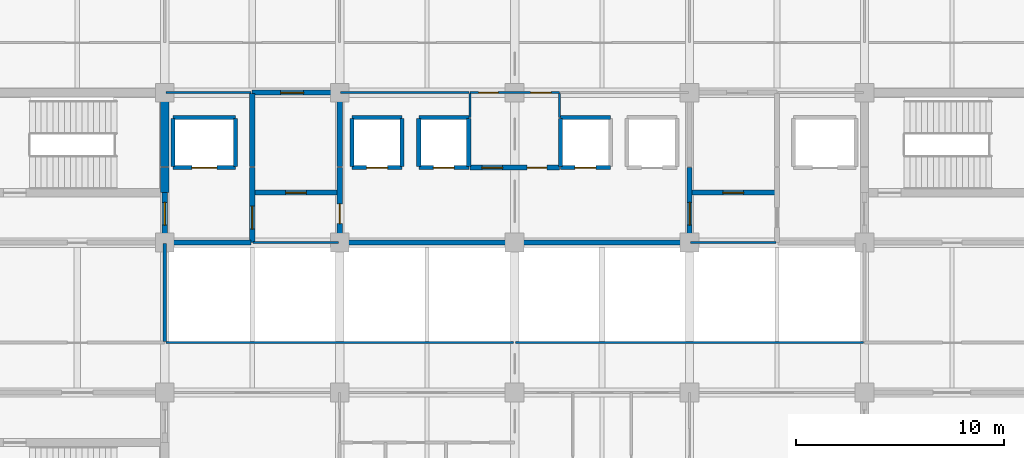
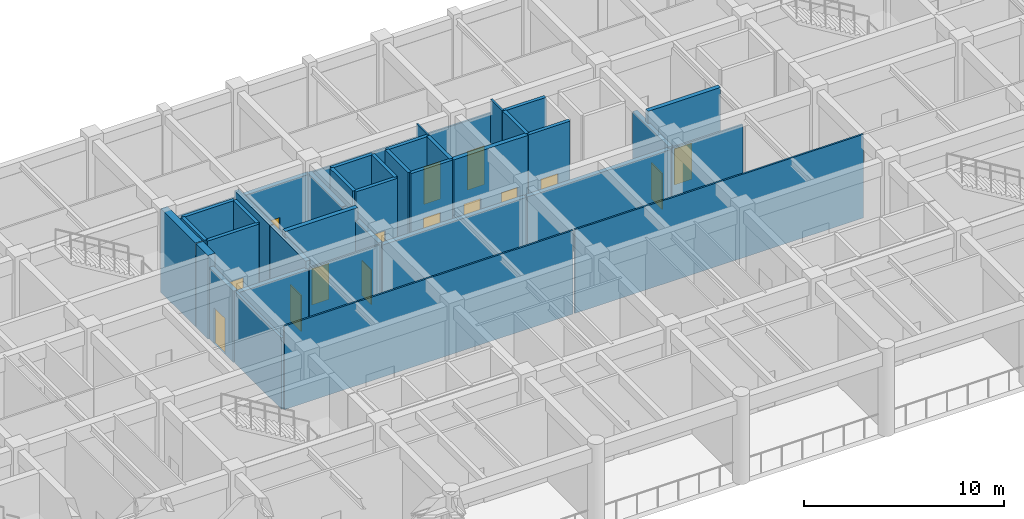
# One storey, part 50 of 68: 40 walls, 15 doors, 15 openings.
"""IFC4 building model written with IfcOpenShell, lengths in metres."""

from ifc_helpers import new_model, si_unit, direction, frame, frame_2d, origin, place, context, subcontext, project, spatial, rectangle, extrude, material, layer, layer_set, type_object, element, fill, save


model = new_model("IFC4")

# Units and contexts
model_context = context("Model", 3, precision=1e-05, world=origin(), true_north=direction((0.0, 1.0)))
body_context = subcontext(model_context, "Body", "Model", "MODEL_VIEW")
ifc_project = project(units=[si_unit("LENGTHUNIT", "METRE"), si_unit("AREAUNIT", "SQUARE_METRE"), si_unit("VOLUMEUNIT", "CUBIC_METRE"), si_unit("PLANEANGLEUNIT", "RADIAN"), si_unit("MASSUNIT", "GRAM", prefix="KILO")], contexts=[model_context])

# Site, building, storey
site_placement = place(None, origin())
site = spatial("IfcSite", under=ifc_project, at=site_placement, CompositionType="ELEMENT")
building_placement = place(site_placement, origin())
building = spatial("IfcBuilding", under=site, at=building_placement, Name="Chengyuan Square Courthouse", CompositionType="ELEMENT")
storey_placement = place(building_placement, frame((0.0, 0.0, 5.39990234375)))
storey = spatial("IfcBuildingStorey", under=building, at=storey_placement, Name="L02", CompositionType="ELEMENT", Elevation=5.39990234375)

# Walls
ifc_material_1 = material(Name="Concrete C40", Category="concrete")
ifc_layer_1 = layer(ifc_material_1, 0.25)
ifc_layer_set_1 = layer_set([ifc_layer_1], Name="Concrete C40")
wall_type_1 = type_object("IfcWallType", Name="WL-FW1", PredefinedType="STANDARD", material=ifc_layer_set_1)
wall_1_placement = place(storey_placement, frame((67.25, 100.800048828125, 0.0), z_axis=(0.0, 0.0, 1.0), x_axis=(1.0, 0.0, 0.0)))
element("IfcWall", 1, at=wall_1_placement, inside=storey, type_object=wall_type_1, Name="Interior Wall WL-L02-I1136", PredefinedType="STANDARD", context=body_context, shape_type="SweptSolid", body=[
    extrude(rectangle(XDim=4.10009765625, YDim=0.25, at=frame_2d((2.050048828125, 0.0))), origin(), (0.0, 0.0, 1.0), 4.27001953125),
])
for number, where, z_axis, x_axis, name in (
    (2, (75.64990234375, 100.800048828125, 0.0), (0.0, 0.0, 1.0), (1.0, 0.0, 0.0), "Interior Wall WL-L02-I1138"),
    (3, (84.050048828125, 100.800048828125, 0.0), (0.0, 0.0, 1.0), (1.0, 0.0, 0.0), "Interior Wall WL-L02-I1139"),
):
    element("IfcWall", number, at=place(storey_placement, frame(where, z_axis=z_axis, x_axis=x_axis)), inside=storey, type_object=wall_type_1, Name=name, PredefinedType="STANDARD", context=body_context, shape_type="SweptSolid", body=[
        extrude(rectangle(XDim=8.300048828125, YDim=0.25, at=frame_2d((4.14990234375, 0.0))), origin(), (0.0, 0.0, 1.0), 4.27001953125),
    ])

# Wall, opening, door
wall_2_placement = place(storey_placement, frame((71.39990234375, 103.199951171875, 0.0), z_axis=(0.0, 0.0, 1.0), x_axis=(1.0, 0.0, 0.0)))
wall_2 = element("IfcWall", 4, at=wall_2_placement, inside=storey, type_object=wall_type_1, Name="Interior Wall WL-L02-I1156", PredefinedType="STANDARD", context=body_context, shape_type="SweptSolid", body=[
    extrude(rectangle(XDim=4.2001953125, YDim=0.25, at=frame_2d((2.10009765625, 0.0))), origin(), (0.0, 0.0, 1.0), 5.1201171875),
])
opening_1_placement = place(wall_2_placement, frame((1.60009765625, 0.0, 0.0)))
opening_1 = element("IfcOpeningElement", 5, at=opening_1_placement, cuts=wall_2, Name="Opening DR-1040", PredefinedType="OPENING", context=body_context, shape_type="SweptSolid", body=[
    extrude(rectangle(XDim=1.0, YDim=2.199951171875, at=frame_2d((0.5, 1.10009765625))), frame((0.0, 0.136962890625, 0.0), z_axis=(0.0, -1.0, 0.0), x_axis=(1.0, 0.0, 0.0)), (0.0, 0.0, 1.0), 0.27392578125),
])
ifc_material_2 = material(Name="Steel Q235B Fire Door", Category="steel")
door_type_1 = type_object("IfcDoorType", Name="DT-11", OperationType="NOTDEFINED", PredefinedType="DOOR", material=ifc_material_2)
door_1_placement = place(opening_1_placement, origin())
door_1 = element("IfcDoor", 6, at=door_1_placement, inside=storey, type_object=door_type_1, Name="Interior Door DR-1040", OperationType="SINGLE_SWING_RIGHT", OverallHeight=2.199951171875, OverallWidth=1.0, PredefinedType="DOOR", context=body_context, shape_type="SweptSolid", body=[
    extrude(rectangle(XDim=1.0, YDim=2.199951171875, at=frame_2d((0.5, 1.10009765625))), frame((0.0, 0.02490234375, 0.0), z_axis=(0.0, -1.0, 0.0), x_axis=(1.0, 0.0, 0.0)), (0.0, 0.0, 1.0), 0.050048828125),
])
fill(opening_1, door_1)

wall_3_placement = place(storey_placement, frame((92.39990234375, 103.199951171875, 0.0), z_axis=(0.0, 0.0, 1.0), x_axis=(1.0, 0.0, 0.0)))
wall_3 = element("IfcWall", 7, at=wall_3_placement, inside=storey, type_object=wall_type_1, Name="Interior Wall WL-L02-I1157", PredefinedType="STANDARD", context=body_context, shape_type="SweptSolid", body=[
    extrude(rectangle(XDim=4.2001953125, YDim=0.25, at=frame_2d((2.10009765625, 0.0))), origin(), (0.0, 0.0, 1.0), 5.1201171875),
])
opening_2_placement = place(wall_3_placement, frame((1.60009765625, 0.0, 0.0)))
opening_2 = element("IfcOpeningElement", 8, at=opening_2_placement, cuts=wall_3, Name="Opening DR-1043", PredefinedType="OPENING", context=body_context, shape_type="SweptSolid", body=[
    extrude(rectangle(XDim=1.0, YDim=2.199951171875, at=frame_2d((0.5, 1.10009765625))), frame((0.0, 0.136962890625, 0.0), z_axis=(0.0, -1.0, 0.0), x_axis=(1.0, 0.0, 0.0)), (0.0, 0.0, 1.0), 0.27392578125),
])
door_2_placement = place(opening_2_placement, origin())
door_2 = element("IfcDoor", 9, at=door_2_placement, inside=storey, type_object=door_type_1, Name="Interior Door DR-1043", OperationType="SINGLE_SWING_LEFT", OverallHeight=2.199951171875, OverallWidth=1.0, PredefinedType="DOOR", context=body_context, shape_type="SweptSolid", body=[
    extrude(rectangle(XDim=1.0, YDim=2.199951171875, at=frame_2d((0.5, 1.10009765625))), frame((0.0, 0.02490234375, 0.0), z_axis=(0.0, -1.0, 0.0), x_axis=(1.0, 0.0, 0.0)), (0.0, 0.0, 1.0), 0.050048828125),
])
fill(opening_2, door_2)

# Wall, openings, doors
wall_4_placement = place(storey_placement, frame((81.85009765625, 104.39990234375, 0.0), z_axis=(0.0, 0.0, 1.0), x_axis=(1.0, 0.0, 0.0)))
wall_4 = element("IfcWall", 10, at=wall_4_placement, inside=storey, type_object=wall_type_1, Name="Interior Wall WL-L02-I1168", PredefinedType="STANDARD", context=body_context, shape_type="SweptSolid", body=[
    extrude(rectangle(XDim=4.2998046875, YDim=0.25, at=frame_2d((2.14990234375, 0.0))), origin(), (0.0, 0.0, 1.0), 5.1201171875),
])
opening_3_placement = place(wall_4_placement, frame((0.574951171875, 0.0, 0.0)))
opening_3 = element("IfcOpeningElement", 11, at=opening_3_placement, cuts=wall_4, Name="Opening DR-1058", PredefinedType="OPENING", context=body_context, shape_type="SweptSolid", body=[
    extrude(rectangle(XDim=1.0, YDim=2.199951171875, at=frame_2d((0.5, 1.10009765625))), frame((0.0, 0.136962890625, 0.0), z_axis=(0.0, -1.0, 0.0), x_axis=(1.0, 0.0, 0.0)), (0.0, 0.0, 1.0), 0.27392578125),
])
opening_4_placement = place(wall_4_placement, frame((2.75, 0.0, 0.0)))
opening_4 = element("IfcOpeningElement", 12, at=opening_4_placement, cuts=wall_4, Name="Opening DR-1059", PredefinedType="OPENING", context=body_context, shape_type="SweptSolid", body=[
    extrude(rectangle(XDim=0.949951171875, YDim=2.14990234375, at=frame_2d((0.47509765625, 1.074951171875))), frame((0.0, 0.136962890625, 0.0), z_axis=(0.0, -1.0, 0.0), x_axis=(1.0, 0.0, 0.0)), (0.0, 0.0, 1.0), 0.27392578125),
])
door_3_placement = place(opening_3_placement, origin())
door_3 = element("IfcDoor", 13, at=door_3_placement, inside=storey, type_object=door_type_1, Name="Interior Door DR-1058", OperationType="SINGLE_SWING_LEFT", OverallHeight=2.199951171875, OverallWidth=1.0, PredefinedType="DOOR", context=body_context, shape_type="SweptSolid", body=[
    extrude(rectangle(XDim=1.0, YDim=2.199951171875, at=frame_2d((0.5, 1.10009765625))), frame((0.0, 0.02490234375, 0.0), z_axis=(0.0, -1.0, 0.0), x_axis=(1.0, 0.0, 0.0)), (0.0, 0.0, 1.0), 0.050048828125),
])
fill(opening_3, door_3)
door_type_2 = type_object("IfcDoorType", Name="DT-12", OperationType="NOTDEFINED", PredefinedType="DOOR", material=ifc_material_2)
door_4_placement = place(opening_4_placement, origin())
door_4 = element("IfcDoor", 14, at=door_4_placement, inside=storey, type_object=door_type_2, Name="Interior Door DR-1059", OperationType="SINGLE_SWING_RIGHT", OverallHeight=2.14990234375, OverallWidth=0.949951171875, PredefinedType="DOOR", context=body_context, shape_type="SweptSolid", body=[
    extrude(rectangle(XDim=0.949951171875, YDim=2.14990234375, at=frame_2d((0.47509765625, 1.074951171875))), frame((0.0, 0.02490234375, 0.0), z_axis=(0.0, -1.0, 0.0), x_axis=(1.0, 0.0, 0.0)), (0.0, 0.0, 1.0), 0.050048828125),
])
fill(opening_4, door_4)

# Wall, opening, door
wall_5_placement = place(storey_placement, frame((71.39990234375, 108.0, 0.0), z_axis=(0.0, 0.0, 1.0), x_axis=(1.0, 0.0, 0.0)))
wall_5 = element("IfcWall", 15, at=wall_5_placement, inside=storey, type_object=wall_type_1, Name="Interior Wall WL-L02-I1189", PredefinedType="STANDARD", context=body_context, shape_type="SweptSolid", body=[
    extrude(rectangle(XDim=4.2001953125, YDim=0.25, at=frame_2d((2.10009765625, 0.0))), origin(), (0.0, 0.0, 1.0), 4.27001953125),
])
opening_5_placement = place(wall_5_placement, frame((1.364990234375, 0.0, 0.0)))
opening_5 = element("IfcOpeningElement", 16, at=opening_5_placement, cuts=wall_5, Name="Opening DR-1042", PredefinedType="OPENING", context=body_context, shape_type="SweptSolid", body=[
    extrude(rectangle(XDim=1.10009765625, YDim=2.199951171875, at=frame_2d((0.550048828125, 1.10009765625))), frame((0.0, 0.136962890625, 0.0), z_axis=(0.0, -1.0, 0.0), x_axis=(1.0, 0.0, 0.0)), (0.0, 0.0, 1.0), 0.27392578125),
])
door_type_3 = type_object("IfcDoorType", Name="DT-10", OperationType="NOTDEFINED", PredefinedType="DOOR", material=ifc_material_2)
door_5_placement = place(opening_5_placement, origin())
door_5 = element("IfcDoor", 17, at=door_5_placement, inside=storey, type_object=door_type_3, Name="Interior Door DR-1042", OperationType="SINGLE_SWING_RIGHT", OverallHeight=2.199951171875, OverallWidth=1.10009765625, PredefinedType="DOOR", context=body_context, shape_type="SweptSolid", body=[
    extrude(rectangle(XDim=1.10009765625, YDim=2.199951171875, at=frame_2d((0.550048828125, 1.10009765625))), frame((0.0, 0.02490234375, 0.0), z_axis=(0.0, -1.0, 0.0), x_axis=(1.0, 0.0, 0.0)), (0.0, 0.0, 1.0), 0.050048828125),
])
fill(opening_5, door_5)

wall_6_placement = place(storey_placement, frame((67.199951171875, 100.800048828125, 0.0), z_axis=(0.0, 0.0, 1.0), x_axis=(0.0, 1.0, 0.0)))
wall_6 = element("IfcWall", 18, at=wall_6_placement, inside=storey, type_object=wall_type_1, Name="Interior Wall WL-L02-I1267", PredefinedType="STANDARD", context=body_context, shape_type="SweptSolid", body=[
    extrude(rectangle(XDim=2.39990234375, YDim=0.25, at=frame_2d((1.199951171875, 0.0))), origin(), (0.0, 0.0, 1.0), 4.3701171875),
])
opening_6_placement = place(wall_6_placement, frame((0.8349609375, 0.0, 0.0)))
opening_6 = element("IfcOpeningElement", 19, at=opening_6_placement, cuts=wall_6, Name="Opening DR-1009", PredefinedType="OPENING", context=body_context, shape_type="SweptSolid", body=[
    extrude(rectangle(XDim=1.10009765625, YDim=2.199951171875, at=frame_2d((0.550048828125, 1.10009765625))), frame((0.0, 0.136962890625, 0.0), z_axis=(0.0, -1.0, 0.0), x_axis=(1.0, 0.0, 0.0)), (0.0, 0.0, 1.0), 0.27392578125),
])
door_6_placement = place(opening_6_placement, origin())
door_6 = element("IfcDoor", 20, at=door_6_placement, inside=storey, type_object=door_type_3, Name="Interior Door DR-1009", OperationType="SINGLE_SWING_LEFT", OverallHeight=2.199951171875, OverallWidth=1.10009765625, PredefinedType="DOOR", context=body_context, shape_type="SweptSolid", body=[
    extrude(rectangle(XDim=1.10009765625, YDim=2.199951171875, at=frame_2d((0.550048828125, 1.10009765625))), frame((0.0, 0.02490234375, 0.0), z_axis=(0.0, -1.0, 0.0), x_axis=(1.0, 0.0, 0.0)), (0.0, 0.0, 1.0), 0.050048828125),
])
fill(opening_6, door_6)

wall_7_placement = place(storey_placement, frame((71.39990234375, 100.800048828125, 0.0), z_axis=(0.0, 0.0, 1.0), x_axis=(0.0, 1.0, 0.0)))
wall_7 = element("IfcWall", 21, at=wall_7_placement, inside=storey, type_object=wall_type_1, Name="Interior Wall WL-L02-I1275", PredefinedType="STANDARD", context=body_context, shape_type="SweptSolid", body=[
    extrude(rectangle(XDim=3.599853515625, YDim=0.25, at=frame_2d((1.7998046875, 0.0))), origin(), (0.0, 0.0, 1.0), 4.72021484375),
])
opening_7_placement = place(wall_7_placement, frame((0.64990234375, 0.0, 0.0)))
opening_7 = element("IfcOpeningElement", 22, at=opening_7_placement, cuts=wall_7, Name="Opening DR-1039", PredefinedType="OPENING", context=body_context, shape_type="SweptSolid", body=[
    extrude(rectangle(XDim=1.10009765625, YDim=2.199951171875, at=frame_2d((0.550048828125, 1.10009765625))), frame((0.0, 0.136962890625, 0.0), z_axis=(0.0, -1.0, 0.0), x_axis=(1.0, 0.0, 0.0)), (0.0, 0.0, 1.0), 0.27392578125),
])
door_7_placement = place(opening_7_placement, origin())
door_7 = element("IfcDoor", 23, at=door_7_placement, inside=storey, type_object=door_type_3, Name="Interior Door DR-1039", OperationType="SINGLE_SWING_LEFT", OverallHeight=2.199951171875, OverallWidth=1.10009765625, PredefinedType="DOOR", context=body_context, shape_type="SweptSolid", body=[
    extrude(rectangle(XDim=1.10009765625, YDim=2.199951171875, at=frame_2d((0.550048828125, 1.10009765625))), frame((0.0, 0.02490234375, 0.0), z_axis=(0.0, -1.0, 0.0), x_axis=(1.0, 0.0, 0.0)), (0.0, 0.0, 1.0), 0.050048828125),
])
fill(opening_7, door_7)

# Wall
wall_8_placement = place(storey_placement, frame((71.39990234375, 104.449951171875, 0.0), z_axis=(0.0, 0.0, 1.0), x_axis=(0.0, 1.0, 0.0)))
element("IfcWall", 24, at=wall_8_placement, inside=storey, type_object=wall_type_1, Name="Interior Wall WL-L02-I1276", PredefinedType="STANDARD", context=body_context, shape_type="SweptSolid", body=[
    extrude(rectangle(XDim=3.5, YDim=0.25, at=frame_2d((1.75, 0.0))), origin(), (0.0, 0.0, 1.0), 4.72021484375),
])

# Wall, opening, door
wall_9_placement = place(storey_placement, frame((75.60009765625, 100.800048828125, 0.0), z_axis=(0.0, 0.0, 1.0), x_axis=(0.0, 1.0, 0.0)))
wall_9 = element("IfcWall", 25, at=wall_9_placement, inside=storey, type_object=wall_type_1, Name="Interior Wall WL-L02-I1283", PredefinedType="STANDARD", context=body_context, shape_type="SweptSolid", body=[
    extrude(rectangle(XDim=3.599853515625, YDim=0.25, at=frame_2d((1.7998046875, 0.0))), origin(), (0.0, 0.0, 1.0), 4.3701171875),
])
opening_8_placement = place(wall_9_placement, frame((0.909912109375, 0.0, 0.0)))
opening_8 = element("IfcOpeningElement", 26, at=opening_8_placement, cuts=wall_9, Name="Opening DR-1041", PredefinedType="OPENING", context=body_context, shape_type="SweptSolid", body=[
    extrude(rectangle(XDim=0.949951171875, YDim=2.14990234375, at=frame_2d((0.47509765625, 1.074951171875))), frame((0.0, 0.136962890625, 0.0), z_axis=(0.0, -1.0, 0.0), x_axis=(1.0, 0.0, 0.0)), (0.0, 0.0, 1.0), 0.27392578125),
])
door_8_placement = place(opening_8_placement, origin())
door_8 = element("IfcDoor", 27, at=door_8_placement, inside=storey, type_object=door_type_2, Name="Interior Door DR-1041", OperationType="SINGLE_SWING_LEFT", OverallHeight=2.14990234375, OverallWidth=0.949951171875, PredefinedType="DOOR", context=body_context, shape_type="SweptSolid", body=[
    extrude(rectangle(XDim=0.949951171875, YDim=2.14990234375, at=frame_2d((0.47509765625, 1.074951171875))), frame((0.0, 0.02490234375, 0.0), z_axis=(0.0, -1.0, 0.0), x_axis=(1.0, 0.0, 0.0)), (0.0, 0.0, 1.0), 0.050048828125),
])
fill(opening_8, door_8)

# Wall
wall_10_placement = place(storey_placement, frame((75.60009765625, 104.449951171875, 0.0), z_axis=(0.0, 0.0, 1.0), x_axis=(0.0, 1.0, 0.0)))
element("IfcWall", 28, at=wall_10_placement, inside=storey, type_object=wall_type_1, Name="Interior Wall WL-L02-I1284", PredefinedType="STANDARD", context=body_context, shape_type="SweptSolid", body=[
    extrude(rectangle(XDim=3.5, YDim=0.25, at=frame_2d((1.75, 0.0))), origin(), (0.0, 0.0, 1.0), 4.3701171875),
])

# Wall, opening, door
wall_11_placement = place(storey_placement, frame((92.39990234375, 100.800048828125, 0.0), z_axis=(0.0, 0.0, 1.0), x_axis=(0.0, 1.0, 0.0)))
wall_11 = element("IfcWall", 29, at=wall_11_placement, inside=storey, type_object=wall_type_1, Name="Interior Wall WL-L02-I1305", PredefinedType="STANDARD", context=body_context, shape_type="SweptSolid", body=[
    extrude(rectangle(XDim=3.599853515625, YDim=0.25, at=frame_2d((1.7998046875, 0.0))), origin(), (0.0, 0.0, 1.0), 4.3701171875),
])
opening_9_placement = place(wall_11_placement, frame((0.8349609375, 0.0, 0.0)))
opening_9 = element("IfcOpeningElement", 30, at=opening_9_placement, cuts=wall_11, Name="Opening DR-1045", PredefinedType="OPENING", context=body_context, shape_type="SweptSolid", body=[
    extrude(rectangle(XDim=1.10009765625, YDim=2.199951171875, at=frame_2d((0.550048828125, 1.10009765625))), frame((0.0, 0.136962890625, 0.0), z_axis=(0.0, -1.0, 0.0), x_axis=(1.0, 0.0, 0.0)), (0.0, 0.0, 1.0), 0.27392578125),
])
door_9_placement = place(opening_9_placement, origin())
door_9 = element("IfcDoor", 31, at=door_9_placement, inside=storey, type_object=door_type_3, Name="Interior Door DR-1045", OperationType="SINGLE_SWING_LEFT", OverallHeight=2.199951171875, OverallWidth=1.10009765625, PredefinedType="DOOR", context=body_context, shape_type="SweptSolid", body=[
    extrude(rectangle(XDim=1.10009765625, YDim=2.199951171875, at=frame_2d((0.550048828125, 1.10009765625))), frame((0.0, 0.02490234375, 0.0), z_axis=(0.0, -1.0, 0.0), x_axis=(1.0, 0.0, 0.0)), (0.0, 0.0, 1.0), 0.050048828125),
])
fill(opening_9, door_9)

# Walls
ifc_material_3 = material(Name="Deliberation Room Sound-Insulated Partition")
ifc_layer_2 = layer(ifc_material_3, 0.14990234375)
ifc_layer_set_2 = layer_set([ifc_layer_2], Name="Deliberation Room Sound-Insulated Partition")
wall_type_2 = type_object("IfcWallType", Name="WL-PT3", PredefinedType="STANDARD", material=ifc_layer_set_2)
wall_12_placement = place(storey_placement, frame((67.199951171875, 96.050048828125, 0.0), z_axis=(0.0, 0.0, 1.0), x_axis=(0.0, 1.0, 0.0)))
element("IfcWall", 32, at=wall_12_placement, inside=storey, type_object=wall_type_2, Name="Interior Wall WL-L02-I1266", PredefinedType="STANDARD", context=body_context, shape_type="SweptSolid", body=[
    extrude(rectangle(XDim=4.699951171875, YDim=0.14990234375, at=frame_2d((2.35009765625, 0.0))), origin(), (0.0, 0.0, 1.0), 4.3701171875),
])
ifc_material_4 = material(Name="Gypsum Plasterboard Acoustic Stud Partition")
ifc_layer_3 = layer(ifc_material_4, 0.10009765625)
ifc_layer_set_3 = layer_set([ifc_layer_3], Name="Gypsum Plasterboard Acoustic Stud Partition")
wall_type_3 = type_object("IfcWallType", Name="WL-PT6", PredefinedType="STANDARD", material=ifc_layer_set_3)
for number, where, z_axis, x_axis, name in (
    (33, (67.25, 96.0, 0.0), (0.0, 0.0, 1.0), (1.0, 0.0, 0.0), "Interior Wall WL-L02-I1117"),
    (34, (84.050048828125, 96.0, 0.0), (0.0, 0.0, 1.0), (1.0, 0.0, 0.0), "Interior Wall WL-L02-I1118"),
):
    element("IfcWall", number, at=place(storey_placement, frame(where, z_axis=z_axis, x_axis=x_axis)), inside=storey, type_object=wall_type_3, Name=name, PredefinedType="STANDARD", context=body_context, shape_type="SweptSolid", body=[
        extrude(rectangle(XDim=16.699951171875, YDim=0.10009765625, at=frame_2d((8.35009765625, 0.0))), origin(), (0.0, 0.0, 1.0), 5.1201171875),
    ])
for number, where, z_axis, x_axis, name in (
    (35, (71.449951171875, 100.800048828125, 0.0), (0.0, 0.0, 1.0), (1.0, 0.0, 0.0), "Interior Wall WL-L02-I1137"),
    (36, (92.449951171875, 100.800048828125, 0.0), (0.0, 0.0, 1.0), (1.0, 0.0, 0.0), "Interior Wall WL-L02-I1140"),
    (37, (67.25, 108.0, 0.0), (0.0, 0.0, 1.0), (1.0, 0.0, 0.0), "Interior Wall WL-L02-I1188"),
):
    element("IfcWall", number, at=place(storey_placement, frame(where, z_axis=z_axis, x_axis=x_axis)), inside=storey, type_object=wall_type_3, Name=name, PredefinedType="STANDARD", context=body_context, shape_type="SweptSolid", body=[
        extrude(rectangle(XDim=4.10009765625, YDim=0.10009765625, at=frame_2d((2.050048828125, 0.0))), origin(), (0.0, 0.0, 1.0), 4.27001953125),
    ])
wall_13_placement = place(storey_placement, frame((75.64990234375, 108.0, 0.0), z_axis=(0.0, 0.0, 1.0), x_axis=(1.0, 0.0, 0.0)))
element("IfcWall", 38, at=wall_13_placement, inside=storey, type_object=wall_type_3, Name="Interior Wall WL-L02-I1190", PredefinedType="STANDARD", context=body_context, shape_type="SweptSolid", body=[
    extrude(rectangle(XDim=6.150146484375, YDim=0.10009765625, at=frame_2d((3.0751953125, 0.0))), origin(), (0.0, 0.0, 1.0), 4.27001953125),
])

# Wall, openings, doors
wall_14_placement = place(storey_placement, frame((81.85009765625, 108.0, 0.0), z_axis=(0.0, 0.0, 1.0), x_axis=(1.0, 0.0, 0.0)))
wall_14 = element("IfcWall", 39, at=wall_14_placement, inside=storey, type_object=wall_type_3, Name="Interior Wall WL-L02-I1191", PredefinedType="STANDARD", context=body_context, shape_type="SweptSolid", body=[
    extrude(rectangle(XDim=4.2998046875, YDim=0.10009765625, at=frame_2d((2.14990234375, 0.0))), origin(), (0.0, 0.0, 1.0), 4.27001953125),
])
opening_10_placement = place(wall_14_placement, frame((0.419921875, 0.0, 0.0)))
opening_10 = element("IfcOpeningElement", 40, at=opening_10_placement, cuts=wall_14, Name="Opening DR-1217", PredefinedType="OPENING", context=body_context, shape_type="SweptSolid", body=[
    extrude(rectangle(XDim=0.93994140625, YDim=2.300048828125, at=frame_2d((0.469970703125, 1.14990234375))), frame((0.0, 0.06201171875, 0.0), z_axis=(0.0, -1.0, 0.0), x_axis=(1.0, 0.0, 0.0)), (0.0, 0.0, 1.0), 0.1240234375),
])
opening_11_placement = place(wall_14_placement, frame((2.919921875, 0.0, 0.0)))
opening_11 = element("IfcOpeningElement", 41, at=opening_11_placement, cuts=wall_14, Name="Opening DR-1218", PredefinedType="OPENING", context=body_context, shape_type="SweptSolid", body=[
    extrude(rectangle(XDim=0.97998046875, YDim=2.35009765625, at=frame_2d((0.489990234375, 1.175048828125))), frame((0.0, 0.06201171875, 0.0), z_axis=(0.0, -1.0, 0.0), x_axis=(1.0, 0.0, 0.0)), (0.0, 0.0, 1.0), 0.1240234375),
])
ifc_material_5 = material(Name="Acoustic Solid-Core Timber Door", Category="wood")
door_type_4 = type_object("IfcDoorType", Name="DT-39", OperationType="NOTDEFINED", PredefinedType="DOOR", material=ifc_material_5)
door_10_placement = place(opening_10_placement, origin())
door_10 = element("IfcDoor", 42, at=door_10_placement, inside=storey, type_object=door_type_4, Name="Interior Door DR-1217", OperationType="SINGLE_SWING_RIGHT", OverallHeight=2.300048828125, OverallWidth=0.93994140625, PredefinedType="DOOR", context=body_context, shape_type="SweptSolid", body=[
    extrude(rectangle(XDim=0.93994140625, YDim=2.300048828125, at=frame_2d((0.469970703125, 1.14990234375))), frame((0.0, 0.02490234375, 0.0), z_axis=(0.0, -1.0, 0.0), x_axis=(1.0, 0.0, 0.0)), (0.0, 0.0, 1.0), 0.050048828125),
])
fill(opening_10, door_10)
door_type_5 = type_object("IfcDoorType", Name="DT-40", OperationType="NOTDEFINED", PredefinedType="DOOR", material=ifc_material_5)
door_11_placement = place(opening_11_placement, origin())
door_11 = element("IfcDoor", 43, at=door_11_placement, inside=storey, type_object=door_type_5, Name="Interior Door DR-1218", OperationType="SINGLE_SWING_LEFT", OverallHeight=2.35009765625, OverallWidth=0.97998046875, PredefinedType="DOOR", context=body_context, shape_type="SweptSolid", body=[
    extrude(rectangle(XDim=0.97998046875, YDim=2.35009765625, at=frame_2d((0.489990234375, 1.175048828125))), frame((0.0, 0.02490234375, 0.0), z_axis=(0.0, -1.0, 0.0), x_axis=(1.0, 0.0, 0.0)), (0.0, 0.0, 1.0), 0.050048828125),
])
fill(opening_11, door_11)

# Walls
for number, where, z_axis, x_axis, name in (
    (44, (81.85009765625, 106.800048828125, 0.0), (0.0, 0.0, 1.0), (0.0, 1.0, 0.0), "Interior Wall WL-L02-I1292"),
    (45, (86.14990234375, 106.800048828125, 0.0), (0.0, 0.0, 1.0), (0.0, 1.0, 0.0), "Interior Wall WL-L02-I1295"),
):
    element("IfcWall", number, at=place(storey_placement, frame(where, z_axis=z_axis, x_axis=x_axis)), inside=storey, type_object=wall_type_3, Name=name, PredefinedType="STANDARD", context=body_context, shape_type="SweptSolid", body=[
        extrude(rectangle(XDim=1.14990234375, YDim=0.10009765625, at=frame_2d((0.574951171875, 0.0))), origin(), (0.0, 0.0, 1.0), 5.1201171875),
    ])

# Wall, opening, door
ifc_material_6 = material(Name="Reinforced Masonry Shaft Enclosure", Category="masonry")
ifc_layer_4 = layer(ifc_material_6, 0.199951171875)
ifc_layer_set_4 = layer_set([ifc_layer_4], Name="Reinforced Masonry Shaft Enclosure")
wall_type_4 = type_object("IfcWallType", Name="WL-SH1", PredefinedType="STANDARD", material=ifc_layer_set_4)
wall_15_placement = place(storey_placement, frame((67.60009765625, 104.39990234375, 0.0), z_axis=(0.0, 0.0, 1.0), x_axis=(1.0, 0.0, 0.0)))
wall_15 = element("IfcWall", 46, at=wall_15_placement, inside=storey, type_object=wall_type_4, Name="Interior Wall WL-L02-I1165", PredefinedType="STANDARD", context=body_context, shape_type="SweptSolid", body=[
    extrude(rectangle(XDim=3.0, YDim=0.199951171875, at=frame_2d((1.5, 0.0))), origin(), (0.0, 0.0, 1.0), 5.1201171875),
])
opening_12_placement = place(wall_15_placement, frame((0.89990234375, 0.0, 0.0)))
opening_12 = element("IfcOpeningElement", 47, at=opening_12_placement, cuts=wall_15, Name="Opening LD-037", PredefinedType="OPENING", context=body_context, shape_type="SweptSolid", body=[
    extrude(rectangle(XDim=1.199951171875, YDim=2.14990234375, at=frame_2d((0.60009765625, 1.074951171875))), frame((0.0, 0.112060546875, 0.0), z_axis=(0.0, -1.0, 0.0), x_axis=(1.0, 0.0, 0.0)), (0.0, 0.0, 1.0), 0.223876953125),
])
ifc_material_7 = material(Name="Stainless Steel S30408 Lift Landing Door", Category="steel")
door_type_6 = type_object("IfcDoorType", Name="DT-05", OperationType="DOUBLE_DOOR_SLIDING", PredefinedType="DOOR", material=ifc_material_7)
door_12_placement = place(opening_12_placement, origin())
door_12 = element("IfcDoor", 48, at=door_12_placement, inside=storey, type_object=door_type_6, Name="Lift Landing Door LF-F1 L02", OperationType="DOUBLE_DOOR_SLIDING", OverallHeight=2.14990234375, OverallWidth=1.199951171875, PredefinedType="DOOR", context=body_context, shape_type="SweptSolid", body=[
    extrude(rectangle(XDim=1.199951171875, YDim=2.14990234375, at=frame_2d((0.60009765625, 1.074951171875))), frame((0.0, 0.02490234375, 0.0), z_axis=(0.0, -1.0, 0.0), x_axis=(1.0, 0.0, 0.0)), (0.0, 0.0, 1.0), 0.050048828125),
])
fill(opening_12, door_12)

wall_16_placement = place(storey_placement, frame((76.199951171875, 104.39990234375, 0.0), z_axis=(0.0, 0.0, 1.0), x_axis=(1.0, 0.0, 0.0)))
wall_16 = element("IfcWall", 49, at=wall_16_placement, inside=storey, type_object=wall_type_4, Name="Interior Wall WL-L02-I1166", PredefinedType="STANDARD", context=body_context, shape_type="SweptSolid", body=[
    extrude(rectangle(XDim=2.400146484375, YDim=0.199951171875, at=frame_2d((1.2001953125, 0.0))), origin(), (0.0, 0.0, 1.0), 5.1201171875),
])
opening_13_placement = place(wall_16_placement, frame((0.699951171875, 0.0, 0.0)))
opening_13 = element("IfcOpeningElement", 50, at=opening_13_placement, cuts=wall_16, Name="Opening LD-041", PredefinedType="OPENING", context=body_context, shape_type="SweptSolid", body=[
    extrude(rectangle(XDim=1.0, YDim=2.14990234375, at=frame_2d((0.5, 1.074951171875))), frame((0.0, 0.112060546875, 0.0), z_axis=(0.0, -1.0, 0.0), x_axis=(1.0, 0.0, 0.0)), (0.0, 0.0, 1.0), 0.223876953125),
])
door_type_7 = type_object("IfcDoorType", Name="DT-07", OperationType="DOUBLE_DOOR_SLIDING", PredefinedType="DOOR", material=ifc_material_7)
door_13_placement = place(opening_13_placement, origin())
door_13 = element("IfcDoor", 51, at=door_13_placement, inside=storey, type_object=door_type_7, Name="Lift Landing Door LF-J1 L02", OperationType="DOUBLE_DOOR_SLIDING", OverallHeight=2.14990234375, OverallWidth=1.0, PredefinedType="DOOR", context=body_context, shape_type="SweptSolid", body=[
    extrude(rectangle(XDim=1.0, YDim=2.14990234375, at=frame_2d((0.5, 1.074951171875))), frame((0.0, 0.02490234375, 0.0), z_axis=(0.0, -1.0, 0.0), x_axis=(1.0, 0.0, 0.0)), (0.0, 0.0, 1.0), 0.050048828125),
])
fill(opening_13, door_13)

wall_17_placement = place(storey_placement, frame((79.39990234375, 104.39990234375, 0.0), z_axis=(0.0, 0.0, 1.0), x_axis=(1.0, 0.0, 0.0)))
wall_17 = element("IfcWall", 52, at=wall_17_placement, inside=storey, type_object=wall_type_4, Name="Interior Wall WL-L02-I1167", PredefinedType="STANDARD", context=body_context, shape_type="SweptSolid", body=[
    extrude(rectangle(XDim=2.400146484375, YDim=0.199951171875, at=frame_2d((1.2001953125, 0.0))), origin(), (0.0, 0.0, 1.0), 5.1201171875),
])
opening_14_placement = place(wall_17_placement, frame((0.699951171875, 0.0, 0.0)))
opening_14 = element("IfcOpeningElement", 53, at=opening_14_placement, cuts=wall_17, Name="Opening LD-042", PredefinedType="OPENING", context=body_context, shape_type="SweptSolid", body=[
    extrude(rectangle(XDim=1.0, YDim=2.14990234375, at=frame_2d((0.5, 1.074951171875))), frame((0.0, 0.112060546875, 0.0), z_axis=(0.0, -1.0, 0.0), x_axis=(1.0, 0.0, 0.0)), (0.0, 0.0, 1.0), 0.223876953125),
])
door_14_placement = place(opening_14_placement, origin())
door_14 = element("IfcDoor", 54, at=door_14_placement, inside=storey, type_object=door_type_7, Name="Lift Landing Door LF-J2 L02", OperationType="DOUBLE_DOOR_SLIDING", OverallHeight=2.14990234375, OverallWidth=1.0, PredefinedType="DOOR", context=body_context, shape_type="SweptSolid", body=[
    extrude(rectangle(XDim=1.0, YDim=2.14990234375, at=frame_2d((0.5, 1.074951171875))), frame((0.0, 0.02490234375, 0.0), z_axis=(0.0, -1.0, 0.0), x_axis=(1.0, 0.0, 0.0)), (0.0, 0.0, 1.0), 0.050048828125),
])
fill(opening_14, door_14)

wall_18_placement = place(storey_placement, frame((86.199951171875, 104.39990234375, 0.0), z_axis=(0.0, 0.0, 1.0), x_axis=(1.0, 0.0, 0.0)))
wall_18 = element("IfcWall", 55, at=wall_18_placement, inside=storey, type_object=wall_type_4, Name="Interior Wall WL-L02-I1169", PredefinedType="STANDARD", context=body_context, shape_type="SweptSolid", body=[
    extrude(rectangle(XDim=2.400146484375, YDim=0.199951171875, at=frame_2d((1.2001953125, 0.0))), origin(), (0.0, 0.0, 1.0), 5.1201171875),
])
opening_15_placement = place(wall_18_placement, frame((0.699951171875, 0.0, 0.0)))
opening_15 = element("IfcOpeningElement", 56, at=opening_15_placement, cuts=wall_18, Name="Opening LD-043", PredefinedType="OPENING", context=body_context, shape_type="SweptSolid", body=[
    extrude(rectangle(XDim=1.0, YDim=2.14990234375, at=frame_2d((0.5, 1.074951171875))), frame((0.0, 0.112060546875, 0.0), z_axis=(0.0, -1.0, 0.0), x_axis=(1.0, 0.0, 0.0)), (0.0, 0.0, 1.0), 0.223876953125),
])
door_15_placement = place(opening_15_placement, origin())
door_15 = element("IfcDoor", 57, at=door_15_placement, inside=storey, type_object=door_type_7, Name="Lift Landing Door LF-J3 L02", OperationType="DOUBLE_DOOR_SLIDING", OverallHeight=2.14990234375, OverallWidth=1.0, PredefinedType="DOOR", context=body_context, shape_type="SweptSolid", body=[
    extrude(rectangle(XDim=1.0, YDim=2.14990234375, at=frame_2d((0.5, 1.074951171875))), frame((0.0, 0.02490234375, 0.0), z_axis=(0.0, -1.0, 0.0), x_axis=(1.0, 0.0, 0.0)), (0.0, 0.0, 1.0), 0.050048828125),
])
fill(opening_15, door_15)

# Walls
wall_19_placement = place(storey_placement, frame((67.60009765625, 106.800048828125, 0.0), z_axis=(0.0, 0.0, 1.0), x_axis=(1.0, 0.0, 0.0)))
element("IfcWall", 58, at=wall_19_placement, inside=storey, type_object=wall_type_4, Name="Interior Wall WL-L02-I1177", PredefinedType="STANDARD", context=body_context, shape_type="SweptSolid", body=[
    extrude(rectangle(XDim=3.0, YDim=0.199951171875, at=frame_2d((1.5, 0.0))), origin(), (0.0, 0.0, 1.0), 5.1201171875),
])
for number, where, z_axis, x_axis, name in (
    (59, (76.199951171875, 106.800048828125, 0.0), (0.0, 0.0, 1.0), (1.0, 0.0, 0.0), "Interior Wall WL-L02-I1178"),
    (60, (79.39990234375, 106.800048828125, 0.0), (0.0, 0.0, 1.0), (1.0, 0.0, 0.0), "Interior Wall WL-L02-I1179"),
    (61, (86.199951171875, 106.800048828125, 0.0), (0.0, 0.0, 1.0), (1.0, 0.0, 0.0), "Interior Wall WL-L02-I1180"),
):
    element("IfcWall", number, at=place(storey_placement, frame(where, z_axis=z_axis, x_axis=x_axis)), inside=storey, type_object=wall_type_4, Name=name, PredefinedType="STANDARD", context=body_context, shape_type="SweptSolid", body=[
        extrude(rectangle(XDim=2.400146484375, YDim=0.199951171875, at=frame_2d((1.2001953125, 0.0))), origin(), (0.0, 0.0, 1.0), 5.1201171875),
    ])
for number, where, z_axis, x_axis, name in (
    (62, (67.60009765625, 104.449951171875, 0.0), (0.0, 0.0, 1.0), (0.0, 1.0, 0.0), "Interior Wall WL-L02-I1272"),
    (63, (70.60009765625, 104.449951171875, 0.0), (0.0, 0.0, 1.0), (0.0, 1.0, 0.0), "Interior Wall WL-L02-I1274"),
    (64, (76.199951171875, 104.449951171875, 0.0), (0.0, 0.0, 1.0), (0.0, 1.0, 0.0), "Interior Wall WL-L02-I1286"),
    (65, (78.60009765625, 104.449951171875, 0.0), (0.0, 0.0, 1.0), (0.0, 1.0, 0.0), "Interior Wall WL-L02-I1288"),
    (66, (79.39990234375, 104.449951171875, 0.0), (0.0, 0.0, 1.0), (0.0, 1.0, 0.0), "Interior Wall WL-L02-I1289"),
    (67, (81.800048828125, 104.449951171875, 0.0), (0.0, 0.0, 1.0), (0.0, 1.0, 0.0), "Interior Wall WL-L02-I1291"),
    (68, (86.199951171875, 104.449951171875, 0.0), (0.0, 0.0, 1.0), (0.0, 1.0, 0.0), "Interior Wall WL-L02-I1296"),
):
    element("IfcWall", number, at=place(storey_placement, frame(where, z_axis=z_axis, x_axis=x_axis)), inside=storey, type_object=wall_type_4, Name=name, PredefinedType="STANDARD", context=body_context, shape_type="SweptSolid", body=[
        extrude(rectangle(XDim=2.300048828125, YDim=0.199951171875, at=frame_2d((1.14990234375, 0.0))), origin(), (0.0, 0.0, 1.0), 5.1201171875),
    ])
ifc_material_8 = material(Name="Concrete C50", Category="concrete")
ifc_layer_5 = layer(ifc_material_8, 0.39990234375)
ifc_layer_set_5 = layer_set([ifc_layer_5], Name="Concrete C50")
wall_type_5 = type_object("IfcWallType", Name="WL-SW1", PredefinedType="SHEAR", material=ifc_layer_set_5)
wall_20_placement = place(storey_placement, frame((67.199951171875, 103.199951171875, 0.0), z_axis=(0.0, 0.0, 1.0), x_axis=(0.0, 1.0, 0.0)))
element("IfcWall", 69, at=wall_20_placement, inside=storey, type_object=wall_type_5, Name="Interior Wall WL-L02-I1268", PredefinedType="SHEAR", context=body_context, shape_type="SweptSolid", body=[
    extrude(rectangle(XDim=1.199951171875, YDim=0.39990234375, at=frame_2d((0.60009765625, 0.0))), origin(), (0.0, 0.0, 1.0), 5.1201171875),
])
wall_21_placement = place(storey_placement, frame((67.199951171875, 104.449951171875, 0.0), z_axis=(0.0, 0.0, 1.0), x_axis=(0.0, 1.0, 0.0)))
element("IfcWall", 70, at=wall_21_placement, inside=storey, type_object=wall_type_5, Name="Interior Wall WL-L02-I1269", PredefinedType="SHEAR", context=body_context, shape_type="SweptSolid", body=[
    extrude(rectangle(XDim=3.5, YDim=0.39990234375, at=frame_2d((1.75, 0.0))), origin(), (0.0, 0.0, 1.0), 5.1201171875),
])

save(model, "model.ifc")
